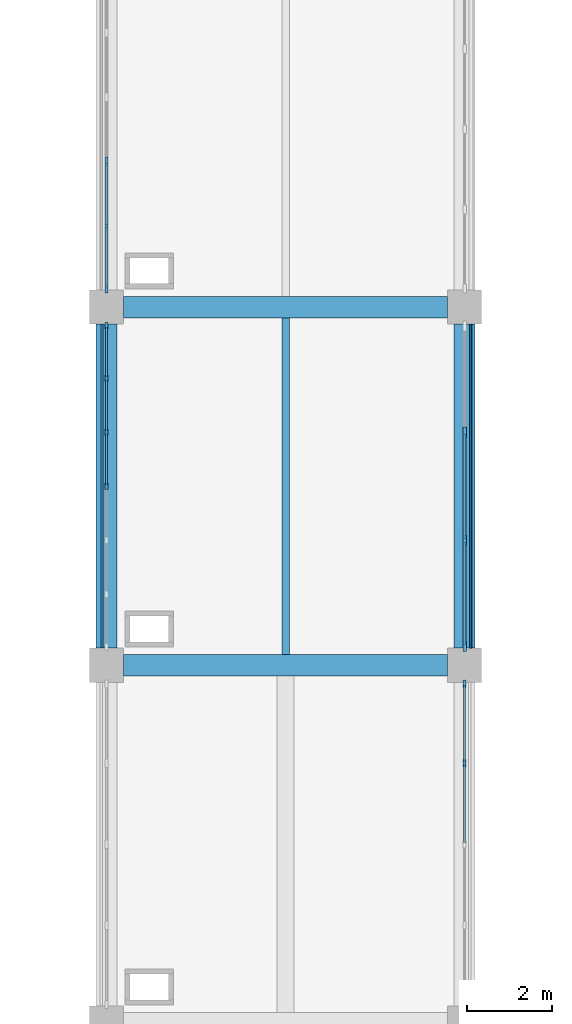
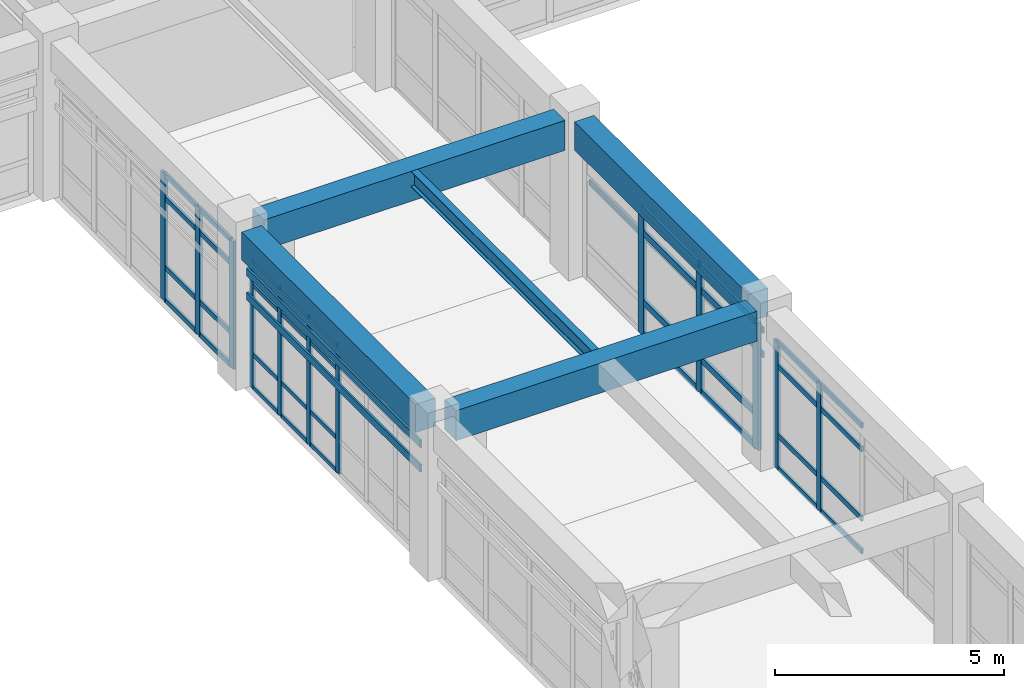
# One storey, part 24 of 99: 52 members, 5 beams, 4 elements without a shape of their own.
"""IFC4 building model written with IfcOpenShell, lengths in metres."""

from ifc_helpers import new_model, si_unit, direction, frame, origin, origin_2d, place, context, subcontext, project, spatial, rectangle, i_section, extrude, material, layer, layer_set, material_profile, profile_set, type_object, element, aggregate, save


model = new_model("IFC4")

# Units and contexts
model_context = context("Model", 3, precision=1e-05, world=origin(), true_north=direction((0.0, 1.0)))
body_context = subcontext(model_context, "Body", "Model", "MODEL_VIEW")
ifc_project = project(units=[si_unit("LENGTHUNIT", "METRE"), si_unit("AREAUNIT", "SQUARE_METRE"), si_unit("VOLUMEUNIT", "CUBIC_METRE"), si_unit("PLANEANGLEUNIT", "RADIAN"), si_unit("MASSUNIT", "GRAM", prefix="KILO")], contexts=[model_context])

# Site, building, storey
site_placement = place(None, origin())
site = spatial("IfcSite", under=ifc_project, at=site_placement, CompositionType="ELEMENT")
building_placement = place(site_placement, origin())
building = spatial("IfcBuilding", under=site, at=building_placement, Name="Porcellanite Civic Hall", CompositionType="ELEMENT")
storey_placement = place(building_placement, frame((0.0, 0.0, 5.760009765625)))
storey = spatial("IfcBuildingStorey", under=building, at=storey_placement, Name="L01", CompositionType="ELEMENT", Elevation=5.760009765625)

# Beams
ifc_material_1 = material(Name="Concrete N50 (50 MPa)", Category="concrete")
ifc_material_profile_1 = material_profile(ifc_material_1, rectangle(XDim=0.5, YDim=0.75, at=origin_2d()), Name="RC-500x750")
ifc_profile_set_1 = profile_set([ifc_material_profile_1], Name="Concrete N50 (50 MPa)")
beam_type_1 = type_object("IfcBeamType", Name="BM-RC750", PredefinedType="SPANDREL", material=ifc_profile_set_1)
for number, where, z_axis, x_axis, name in (
    (1, (50.39990234375, 84.3994140625, 3.824951171875), (0.0, 1.0, 0.0), (-1.0, 0.0, 0.0), "Beam Y L01 7-11"),
    (2, (58.800048828125, 84.3994140625, 3.824951171875), (0.0, 1.0, 0.0), (-1.0, 0.0, 0.0), "Beam Y L01 8-11"),
):
    element("IfcBeam", number, at=place(storey_placement, frame(where, z_axis=z_axis, x_axis=x_axis)), inside=storey, type_object=beam_type_1, Name=name, PredefinedType="SPANDREL", context=body_context, shape_type="SweptSolid", body=[
        extrude(rectangle(XDim=0.5, YDim=0.75, at=origin_2d()), origin(), (0.0, 0.0, 1.0), 7.60107421875),
    ])
ifc_material_2 = material(Name="Concrete N50 (50 MPa)", Category="concrete")
ifc_material_profile_2 = material_profile(ifc_material_2, rectangle(XDim=0.5, YDim=0.800048828125, at=origin_2d()), Name="RC-500x800")
ifc_profile_set_2 = profile_set([ifc_material_profile_2], Name="Concrete N50 (50 MPa)")
beam_type_2 = type_object("IfcBeamType", Name="BM-RC800", PredefinedType="BEAM", material=ifc_profile_set_2)
for number, where, z_axis, x_axis, name in (
    (3, (50.799560546875, 84.0, 3.800048828125), (1.0, 0.0, 0.0), (0.0, 1.0, 0.0), "Beam X L01 7-11"),
    (4, (50.799560546875, 92.39990234375, 3.800048828125), (1.0, 0.0, 0.0), (0.0, 1.0, 0.0), "Beam X L01 7-12"),
):
    element("IfcBeam", number, at=place(storey_placement, frame(where, z_axis=z_axis, x_axis=x_axis)), inside=storey, type_object=beam_type_2, Name=name, PredefinedType="BEAM", context=body_context, shape_type="SweptSolid", body=[
        extrude(rectangle(XDim=0.5, YDim=0.800048828125, at=origin_2d()), origin(), (0.0, 0.0, 1.0), 7.600830078125),
    ])

# Curtain wall, members
ifc_material_3 = material(Name="Anodised aluminium and solar laminated glass", Category="aluminium")
ifc_layer_1 = layer(ifc_material_3, 0.179931640625)
ifc_layer_set_1 = layer_set([ifc_layer_1], Name="Anodised aluminium and solar laminated glass")
curtain_wall_type_1 = type_object("IfcCurtainWallType", Name="CW-SYS08", PredefinedType="NOTDEFINED", material=ifc_layer_set_1)
curtain_wall_1_placement = place(storey_placement, origin())
curtain_wall_1 = element("IfcCurtainWall", 5, at=curtain_wall_1_placement, inside=storey, type_object=curtain_wall_type_1, Name="Curtain wall CW-082", PredefinedType="NOTDEFINED")
ifc_material_4 = material(Name="Anodised aluminium 6063-T6", Category="aluminium")
ifc_material_profile_3 = material_profile(ifc_material_4, rectangle(XDim=0.080078125, YDim=0.239990234375, at=origin_2d()), Name="AL-80x240")
ifc_profile_set_3 = profile_set([ifc_material_profile_3], Name="Anodised aluminium 6063-T6")
member_type_1 = type_object("IfcMemberType", Name="CWM-01", PredefinedType="MULLION", material=ifc_profile_set_3)
member_1_placement = place(storey_placement, frame((58.800048828125, 89.46630859375, 0.0), z_axis=(0.0, 0.0, 1.0), x_axis=(1.0, 0.0, 0.0)))
member_1 = element("IfcMember", 6, at=member_1_placement, type_object=member_type_1, Name="CW-082 mullion 2", PredefinedType="MULLION", context=body_context, shape_type="SweptSolid", body=[
    extrude(rectangle(XDim=0.080078125, YDim=0.239990234375, at=origin_2d()), origin(), (0.0, 0.0, 1.0), 3.39990234375),
])
member_2_placement = place(storey_placement, frame((58.800048828125, 86.93359375, 0.0), z_axis=(0.0, 0.0, 1.0), x_axis=(1.0, 0.0, 0.0)))
member_2 = element("IfcMember", 7, at=member_2_placement, type_object=member_type_1, Name="CW-082 mullion 3", PredefinedType="MULLION", context=body_context, shape_type="SweptSolid", body=[
    extrude(rectangle(XDim=0.080078125, YDim=0.239990234375, at=origin_2d()), origin(), (0.0, 0.0, 1.0), 3.39990234375),
])
member_3_placement = place(storey_placement, frame((58.800048828125, 84.44091796875, 0.0), z_axis=(0.0, 0.0, 1.0), x_axis=(1.0, 0.0, 0.0)))
member_3 = element("IfcMember", 8, at=member_3_placement, type_object=member_type_1, Name="CW-082 mullion 4", PredefinedType="MULLION", context=body_context, shape_type="SweptSolid", body=[
    extrude(rectangle(XDim=0.080078125, YDim=0.239990234375, at=origin_2d()), origin(), (0.0, 0.0, 1.0), 3.39990234375),
])

ifc_material_5 = material(Name="Anodised aluminium and solar laminated glass", Category="aluminium")
ifc_layer_2 = layer(ifc_material_5, 0.179931640625)
ifc_layer_set_2 = layer_set([ifc_layer_2], Name="Anodised aluminium and solar laminated glass")
curtain_wall_type_2 = type_object("IfcCurtainWallType", Name="CW-SYS01", PredefinedType="NOTDEFINED", material=ifc_layer_set_2)
curtain_wall_2_placement = place(storey_placement, origin())
curtain_wall_2 = element("IfcCurtainWall", 9, at=curtain_wall_2_placement, inside=storey, type_object=curtain_wall_type_2, Name="Curtain wall CW-083", PredefinedType="NOTDEFINED")
ifc_material_6 = material(Name="Anodised aluminium 6063-T6", Category="aluminium")
ifc_material_profile_4 = material_profile(ifc_material_6, rectangle(XDim=0.070068359375, YDim=0.199951171875, at=origin_2d()), Name="AL-70x200")
ifc_profile_set_4 = profile_set([ifc_material_profile_4], Name="Anodised aluminium 6063-T6")
member_type_2 = type_object("IfcMemberType", Name="CWM-05", PredefinedType="MULLION", material=ifc_profile_set_4)
member_4_placement = place(storey_placement, frame((50.39990234375, 92.8359375, 0.0), z_axis=(0.0, 0.0, 1.0), x_axis=(-1.0, 0.0, 0.0)))
member_4 = element("IfcMember", 10, at=member_4_placement, type_object=member_type_2, Name="CW-083 mullion 1", PredefinedType="MULLION", context=body_context, shape_type="SweptSolid", body=[
    extrude(rectangle(XDim=0.070068359375, YDim=0.199951171875, at=origin_2d()), origin(), (0.0, 0.0, 1.0), 3.39990234375),
])
member_5_placement = place(storey_placement, frame((50.39990234375, 94.310546875, 0.0), z_axis=(0.0, 0.0, 1.0), x_axis=(-1.0, 0.0, 0.0)))
member_5 = element("IfcMember", 11, at=member_5_placement, type_object=member_type_2, Name="CW-083 mullion 2", PredefinedType="MULLION", context=body_context, shape_type="SweptSolid", body=[
    extrude(rectangle(XDim=0.070068359375, YDim=0.199951171875, at=origin_2d()), origin(), (0.0, 0.0, 1.0), 3.39990234375),
])
member_6_placement = place(storey_placement, frame((50.39990234375, 95.8203125, 0.0), z_axis=(0.0, 0.0, 1.0), x_axis=(-1.0, 0.0, 0.0)))
member_6 = element("IfcMember", 12, at=member_6_placement, type_object=member_type_2, Name="CW-083 mullion 3", PredefinedType="MULLION", context=body_context, shape_type="SweptSolid", body=[
    extrude(rectangle(XDim=0.070068359375, YDim=0.199951171875, at=origin_2d()), origin(), (0.0, 0.0, 1.0), 3.39990234375),
])

ifc_material_7 = material(Name="Anodised aluminium and solar laminated glass", Category="aluminium")
ifc_layer_3 = layer(ifc_material_7, 0.179931640625)
ifc_layer_set_3 = layer_set([ifc_layer_3], Name="Anodised aluminium and solar laminated glass")
curtain_wall_type_3 = type_object("IfcCurtainWallType", Name="CW-SYS06", PredefinedType="NOTDEFINED", material=ifc_layer_set_3)
curtain_wall_3_placement = place(storey_placement, origin())
curtain_wall_3 = element("IfcCurtainWall", 13, at=curtain_wall_3_placement, inside=storey, type_object=curtain_wall_type_3, Name="Curtain wall CW-080", PredefinedType="NOTDEFINED")
ifc_material_8 = material(Name="Anodised aluminium 6063-T6", Category="aluminium")
ifc_material_profile_5 = material_profile(ifc_material_8, rectangle(XDim=0.06494140625, YDim=0.179931640625, at=origin_2d()), Name="AL-65x180")
ifc_profile_set_5 = profile_set([ifc_material_profile_5], Name="Anodised aluminium 6063-T6")
member_type_3 = type_object("IfcMemberType", Name="CWM-06", PredefinedType="MULLION", material=ifc_profile_set_5)
member_7_placement = place(storey_placement, frame((58.800048828125, 83.56640625, 0.0), z_axis=(0.0, 0.0, 1.0), x_axis=(1.0, 0.0, 0.0)))
member_7 = element("IfcMember", 14, at=member_7_placement, type_object=member_type_3, Name="CW-080 mullion 1", PredefinedType="MULLION", context=body_context, shape_type="SweptSolid", body=[
    extrude(rectangle(XDim=0.06494140625, YDim=0.179931640625, at=origin_2d()), origin(), (0.0, 0.0, 1.0), 3.39990234375),
])
member_8_placement = place(storey_placement, frame((58.800048828125, 81.699462890625, 0.0), z_axis=(0.0, 0.0, 1.0), x_axis=(1.0, 0.0, 0.0)))
member_8 = element("IfcMember", 15, at=member_8_placement, type_object=member_type_3, Name="CW-080 mullion 2", PredefinedType="MULLION", context=body_context, shape_type="SweptSolid", body=[
    extrude(rectangle(XDim=0.06494140625, YDim=0.179931640625, at=origin_2d()), origin(), (0.0, 0.0, 1.0), 3.39990234375),
])

ifc_material_9 = material(Name="Anodised aluminium and solar laminated glass", Category="aluminium")
ifc_layer_4 = layer(ifc_material_9, 0.179931640625)
ifc_layer_set_4 = layer_set([ifc_layer_4], Name="Anodised aluminium and solar laminated glass")
curtain_wall_type_4 = type_object("IfcCurtainWallType", Name="CW-SYS07", PredefinedType="NOTDEFINED", material=ifc_layer_set_4)
curtain_wall_4_placement = place(storey_placement, origin())
curtain_wall_4 = element("IfcCurtainWall", 16, at=curtain_wall_4_placement, inside=storey, type_object=curtain_wall_type_4, Name="Curtain wall CW-081", PredefinedType="NOTDEFINED")
ifc_material_10 = material(Name="Anodised aluminium 6063-T6", Category="aluminium")
ifc_material_profile_6 = material_profile(ifc_material_10, rectangle(XDim=0.06005859375, YDim=0.159912109375, at=origin_2d()), Name="AL-60x160")
ifc_profile_set_6 = profile_set([ifc_material_profile_6], Name="Anodised aluminium 6063-T6")
member_type_4 = type_object("IfcMemberType", Name="CWM-07", PredefinedType="MULLION", material=ifc_profile_set_6)
member_9_placement = place(storey_placement, frame((50.39990234375, 88.199951171875, 0.0), z_axis=(0.0, 0.0, 1.0), x_axis=(-1.0, 0.0, 0.0)))
member_9 = element("IfcMember", 17, at=member_9_placement, type_object=member_type_4, Name="CW-081 mullion 4", PredefinedType="MULLION", context=body_context, shape_type="SweptSolid", body=[
    extrude(rectangle(XDim=0.06005859375, YDim=0.159912109375, at=origin_2d()), origin(), (0.0, 0.0, 1.0), 3.39990234375),
])
member_10_placement = place(storey_placement, frame((50.39990234375, 89.46630859375, 0.0), z_axis=(0.0, 0.0, 1.0), x_axis=(-1.0, 0.0, 0.0)))
member_10 = element("IfcMember", 18, at=member_10_placement, type_object=member_type_4, Name="CW-081 mullion 5", PredefinedType="MULLION", context=body_context, shape_type="SweptSolid", body=[
    extrude(rectangle(XDim=0.06005859375, YDim=0.159912109375, at=origin_2d()), origin(), (0.0, 0.0, 1.0), 3.39990234375),
])
member_11_placement = place(storey_placement, frame((50.39990234375, 90.732666015625, 0.0), z_axis=(0.0, 0.0, 1.0), x_axis=(-1.0, 0.0, 0.0)))
member_11 = element("IfcMember", 19, at=member_11_placement, type_object=member_type_4, Name="CW-081 mullion 6", PredefinedType="MULLION", context=body_context, shape_type="SweptSolid", body=[
    extrude(rectangle(XDim=0.06005859375, YDim=0.159912109375, at=origin_2d()), origin(), (0.0, 0.0, 1.0), 3.39990234375),
])
member_12_placement = place(storey_placement, frame((50.39990234375, 91.968994140625, 0.0), z_axis=(0.0, 0.0, 1.0), x_axis=(-1.0, 0.0, 0.0)))
member_12 = element("IfcMember", 20, at=member_12_placement, type_object=member_type_4, Name="CW-081 mullion 7", PredefinedType="MULLION", context=body_context, shape_type="SweptSolid", body=[
    extrude(rectangle(XDim=0.06005859375, YDim=0.159912109375, at=origin_2d()), origin(), (0.0, 0.0, 1.0), 3.39990234375),
])

# Member
ifc_material_11 = material(Name="Anodised aluminium 6063-T6", Category="aluminium")
ifc_material_profile_7 = material_profile(ifc_material_11, rectangle(XDim=0.070068359375, YDim=0.175048828125, at=origin_2d()), Name="AL-70x175")
ifc_profile_set_7 = profile_set([ifc_material_profile_7], Name="Anodised aluminium 6063-T6")
member_type_5 = type_object("IfcMemberType", Name="CWT-01", PredefinedType="USERDEFINED", material=ifc_profile_set_7)
member_13_placement = place(storey_placement, frame((58.800048828125, 89.42626953125, 0.034912109375), z_axis=(0.0, -1.0, 0.0), x_axis=(1.0, 0.0, 0.0)))
member_13 = element("IfcMember", 21, at=member_13_placement, type_object=member_type_5, Name="CW-082 transom 2.1", ObjectType="TRANSOM", PredefinedType="USERDEFINED", context=body_context, shape_type="SweptSolid", body=[
    extrude(rectangle(XDim=0.070068359375, YDim=0.175048828125, at=origin_2d()), origin(), (0.0, 0.0, 1.0), 2.45263671875),
])

member_14_placement = place(storey_placement, frame((58.800048828125, 89.42626953125, 0.89990234375), z_axis=(0.0, -1.0, 0.0), x_axis=(1.0, 0.0, 0.0)))
member_14 = element("IfcMember", 22, at=member_14_placement, type_object=member_type_5, Name="CW-082 transom 2.2", ObjectType="TRANSOM", PredefinedType="USERDEFINED", context=body_context, shape_type="SweptSolid", body=[
    extrude(rectangle(XDim=0.070068359375, YDim=0.175048828125, at=origin_2d()), origin(), (0.0, 0.0, 1.0), 2.45263671875),
])

member_15_placement = place(storey_placement, frame((58.800048828125, 89.42626953125, 2.75), z_axis=(0.0, -1.0, 0.0), x_axis=(1.0, 0.0, 0.0)))
member_15 = element("IfcMember", 23, at=member_15_placement, type_object=member_type_5, Name="CW-082 transom 2.3", ObjectType="TRANSOM", PredefinedType="USERDEFINED", context=body_context, shape_type="SweptSolid", body=[
    extrude(rectangle(XDim=0.070068359375, YDim=0.175048828125, at=origin_2d()), origin(), (0.0, 0.0, 1.0), 2.45263671875),
])

member_16_placement = place(storey_placement, frame((58.800048828125, 89.42626953125, 3.364990234375), z_axis=(0.0, -1.0, 0.0), x_axis=(1.0, 0.0, 0.0)))
member_16 = element("IfcMember", 24, at=member_16_placement, type_object=member_type_5, Name="CW-082 transom 2.4", ObjectType="TRANSOM", PredefinedType="USERDEFINED", context=body_context, shape_type="SweptSolid", body=[
    extrude(rectangle(XDim=0.070068359375, YDim=0.175048828125, at=origin_2d()), origin(), (0.0, 0.0, 1.0), 2.45263671875),
])

member_17_placement = place(storey_placement, frame((58.800048828125, 86.8935546875, 0.034912109375), z_axis=(0.0, -1.0, 0.0), x_axis=(1.0, 0.0, 0.0)))
member_17 = element("IfcMember", 25, at=member_17_placement, type_object=member_type_5, Name="CW-082 transom 3.1", ObjectType="TRANSOM", PredefinedType="USERDEFINED", context=body_context, shape_type="SweptSolid", body=[
    extrude(rectangle(XDim=0.070068359375, YDim=0.175048828125, at=origin_2d()), origin(), (0.0, 0.0, 1.0), 2.41259765625),
])

member_18_placement = place(storey_placement, frame((58.800048828125, 86.8935546875, 0.89990234375), z_axis=(0.0, -1.0, 0.0), x_axis=(1.0, 0.0, 0.0)))
member_18 = element("IfcMember", 26, at=member_18_placement, type_object=member_type_5, Name="CW-082 transom 3.2", ObjectType="TRANSOM", PredefinedType="USERDEFINED", context=body_context, shape_type="SweptSolid", body=[
    extrude(rectangle(XDim=0.070068359375, YDim=0.175048828125, at=origin_2d()), origin(), (0.0, 0.0, 1.0), 2.41259765625),
])

member_19_placement = place(storey_placement, frame((58.800048828125, 86.8935546875, 2.75), z_axis=(0.0, -1.0, 0.0), x_axis=(1.0, 0.0, 0.0)))
member_19 = element("IfcMember", 27, at=member_19_placement, type_object=member_type_5, Name="CW-082 transom 3.3", ObjectType="TRANSOM", PredefinedType="USERDEFINED", context=body_context, shape_type="SweptSolid", body=[
    extrude(rectangle(XDim=0.070068359375, YDim=0.175048828125, at=origin_2d()), origin(), (0.0, 0.0, 1.0), 2.41259765625),
])

member_20_placement = place(storey_placement, frame((58.800048828125, 86.8935546875, 3.364990234375), z_axis=(0.0, -1.0, 0.0), x_axis=(1.0, 0.0, 0.0)))
member_20 = element("IfcMember", 28, at=member_20_placement, type_object=member_type_5, Name="CW-082 transom 3.4", ObjectType="TRANSOM", PredefinedType="USERDEFINED", context=body_context, shape_type="SweptSolid", body=[
    extrude(rectangle(XDim=0.070068359375, YDim=0.175048828125, at=origin_2d()), origin(), (0.0, 0.0, 1.0), 2.41259765625),
])

aggregate(curtain_wall_1, [member_1, member_2, member_3, member_13, member_14, member_15, member_16, member_17, member_18, member_19, member_20])

ifc_material_12 = material(Name="Anodised aluminium 6063-T6", Category="aluminium")
ifc_material_profile_8 = material_profile(ifc_material_12, rectangle(XDim=0.06005859375, YDim=0.1298828125, at=origin_2d()), Name="AL-60x130")
ifc_profile_set_8 = profile_set([ifc_material_profile_8], Name="Anodised aluminium 6063-T6")
member_type_6 = type_object("IfcMemberType", Name="CWT-03", PredefinedType="USERDEFINED", material=ifc_profile_set_8)
member_21_placement = place(storey_placement, frame((50.39990234375, 92.87109375, 0.030029296875), z_axis=(0.0, 1.0, 0.0), x_axis=(-1.0, 0.0, 0.0)))
member_21 = element("IfcMember", 29, at=member_21_placement, type_object=member_type_6, Name="CW-083 transom 1.1", ObjectType="TRANSOM", PredefinedType="USERDEFINED", context=body_context, shape_type="SweptSolid", body=[
    extrude(rectangle(XDim=0.06005859375, YDim=0.1298828125, at=origin_2d()), origin(), (0.0, 0.0, 1.0), 1.404541015625),
])

member_22_placement = place(storey_placement, frame((50.39990234375, 92.87109375, 0.89990234375), z_axis=(0.0, 1.0, 0.0), x_axis=(-1.0, 0.0, 0.0)))
member_22 = element("IfcMember", 30, at=member_22_placement, type_object=member_type_6, Name="CW-083 transom 1.2", ObjectType="TRANSOM", PredefinedType="USERDEFINED", context=body_context, shape_type="SweptSolid", body=[
    extrude(rectangle(XDim=0.06005859375, YDim=0.1298828125, at=origin_2d()), origin(), (0.0, 0.0, 1.0), 1.404541015625),
])

member_23_placement = place(storey_placement, frame((50.39990234375, 92.87109375, 2.75), z_axis=(0.0, 1.0, 0.0), x_axis=(-1.0, 0.0, 0.0)))
member_23 = element("IfcMember", 31, at=member_23_placement, type_object=member_type_6, Name="CW-083 transom 1.3", ObjectType="TRANSOM", PredefinedType="USERDEFINED", context=body_context, shape_type="SweptSolid", body=[
    extrude(rectangle(XDim=0.06005859375, YDim=0.1298828125, at=origin_2d()), origin(), (0.0, 0.0, 1.0), 1.404541015625),
])

member_24_placement = place(storey_placement, frame((50.39990234375, 92.87109375, 3.369873046875), z_axis=(0.0, 1.0, 0.0), x_axis=(-1.0, 0.0, 0.0)))
member_24 = element("IfcMember", 32, at=member_24_placement, type_object=member_type_6, Name="CW-083 transom 1.4", ObjectType="TRANSOM", PredefinedType="USERDEFINED", context=body_context, shape_type="SweptSolid", body=[
    extrude(rectangle(XDim=0.06005859375, YDim=0.1298828125, at=origin_2d()), origin(), (0.0, 0.0, 1.0), 1.404541015625),
])

member_25_placement = place(storey_placement, frame((50.39990234375, 94.345703125, 0.030029296875), z_axis=(0.0, 1.0, 0.0), x_axis=(-1.0, 0.0, 0.0)))
member_25 = element("IfcMember", 33, at=member_25_placement, type_object=member_type_6, Name="CW-083 transom 2.1", ObjectType="TRANSOM", PredefinedType="USERDEFINED", context=body_context, shape_type="SweptSolid", body=[
    extrude(rectangle(XDim=0.06005859375, YDim=0.1298828125, at=origin_2d()), origin(), (0.0, 0.0, 1.0), 1.439453125),
])

member_26_placement = place(storey_placement, frame((50.39990234375, 94.345703125, 0.89990234375), z_axis=(0.0, 1.0, 0.0), x_axis=(-1.0, 0.0, 0.0)))
member_26 = element("IfcMember", 34, at=member_26_placement, type_object=member_type_6, Name="CW-083 transom 2.2", ObjectType="TRANSOM", PredefinedType="USERDEFINED", context=body_context, shape_type="SweptSolid", body=[
    extrude(rectangle(XDim=0.06005859375, YDim=0.1298828125, at=origin_2d()), origin(), (0.0, 0.0, 1.0), 1.439453125),
])

member_27_placement = place(storey_placement, frame((50.39990234375, 94.345703125, 2.75), z_axis=(0.0, 1.0, 0.0), x_axis=(-1.0, 0.0, 0.0)))
member_27 = element("IfcMember", 35, at=member_27_placement, type_object=member_type_6, Name="CW-083 transom 2.3", ObjectType="TRANSOM", PredefinedType="USERDEFINED", context=body_context, shape_type="SweptSolid", body=[
    extrude(rectangle(XDim=0.06005859375, YDim=0.1298828125, at=origin_2d()), origin(), (0.0, 0.0, 1.0), 1.439453125),
])

member_28_placement = place(storey_placement, frame((50.39990234375, 94.345703125, 3.369873046875), z_axis=(0.0, 1.0, 0.0), x_axis=(-1.0, 0.0, 0.0)))
member_28 = element("IfcMember", 36, at=member_28_placement, type_object=member_type_6, Name="CW-083 transom 2.4", ObjectType="TRANSOM", PredefinedType="USERDEFINED", context=body_context, shape_type="SweptSolid", body=[
    extrude(rectangle(XDim=0.06005859375, YDim=0.1298828125, at=origin_2d()), origin(), (0.0, 0.0, 1.0), 1.439453125),
])

aggregate(curtain_wall_2, [member_4, member_5, member_6, member_21, member_22, member_23, member_24, member_25, member_26, member_27, member_28])

ifc_material_13 = material(Name="Anodised aluminium 6063-T6", Category="aluminium")
ifc_material_profile_9 = material_profile(ifc_material_13, rectangle(XDim=0.050048828125, YDim=0.139892578125, at=origin_2d()), Name="AL-50x140")
ifc_profile_set_9 = profile_set([ifc_material_profile_9], Name="Anodised aluminium 6063-T6")
member_type_7 = type_object("IfcMemberType", Name="CWT-06", PredefinedType="USERDEFINED", material=ifc_profile_set_9)
member_29_placement = place(storey_placement, frame((58.800048828125, 83.533935546875, 0.02490234375), z_axis=(0.0, -1.0, 0.0), x_axis=(1.0, 0.0, 0.0)))
member_29 = element("IfcMember", 37, at=member_29_placement, type_object=member_type_7, Name="CW-080 transom 1.1", ObjectType="TRANSOM", PredefinedType="USERDEFINED", context=body_context, shape_type="SweptSolid", body=[
    extrude(rectangle(XDim=0.050048828125, YDim=0.139892578125, at=origin_2d()), origin(), (0.0, 0.0, 1.0), 1.802001953125),
])

member_30_placement = place(storey_placement, frame((58.800048828125, 83.533935546875, 0.89990234375), z_axis=(0.0, -1.0, 0.0), x_axis=(1.0, 0.0, 0.0)))
member_30 = element("IfcMember", 38, at=member_30_placement, type_object=member_type_7, Name="CW-080 transom 1.2", ObjectType="TRANSOM", PredefinedType="USERDEFINED", context=body_context, shape_type="SweptSolid", body=[
    extrude(rectangle(XDim=0.050048828125, YDim=0.139892578125, at=origin_2d()), origin(), (0.0, 0.0, 1.0), 1.802001953125),
])

member_31_placement = place(storey_placement, frame((58.800048828125, 83.533935546875, 2.75), z_axis=(0.0, -1.0, 0.0), x_axis=(1.0, 0.0, 0.0)))
member_31 = element("IfcMember", 39, at=member_31_placement, type_object=member_type_7, Name="CW-080 transom 1.3", ObjectType="TRANSOM", PredefinedType="USERDEFINED", context=body_context, shape_type="SweptSolid", body=[
    extrude(rectangle(XDim=0.050048828125, YDim=0.139892578125, at=origin_2d()), origin(), (0.0, 0.0, 1.0), 1.802001953125),
])

member_32_placement = place(storey_placement, frame((58.800048828125, 83.533935546875, 3.375), z_axis=(0.0, -1.0, 0.0), x_axis=(1.0, 0.0, 0.0)))
member_32 = element("IfcMember", 40, at=member_32_placement, type_object=member_type_7, Name="CW-080 transom 1.4", ObjectType="TRANSOM", PredefinedType="USERDEFINED", context=body_context, shape_type="SweptSolid", body=[
    extrude(rectangle(XDim=0.050048828125, YDim=0.139892578125, at=origin_2d()), origin(), (0.0, 0.0, 1.0), 1.802001953125),
])

member_33_placement = place(storey_placement, frame((58.800048828125, 81.6669921875, 0.02490234375), z_axis=(0.0, -1.0, 0.0), x_axis=(1.0, 0.0, 0.0)))
member_33 = element("IfcMember", 41, at=member_33_placement, type_object=member_type_7, Name="CW-080 transom 2.1", ObjectType="TRANSOM", PredefinedType="USERDEFINED", context=body_context, shape_type="SweptSolid", body=[
    extrude(rectangle(XDim=0.050048828125, YDim=0.139892578125, at=origin_2d()), origin(), (0.0, 0.0, 1.0), 1.83447265625),
])

member_34_placement = place(storey_placement, frame((58.800048828125, 81.6669921875, 0.89990234375), z_axis=(0.0, -1.0, 0.0), x_axis=(1.0, 0.0, 0.0)))
member_34 = element("IfcMember", 42, at=member_34_placement, type_object=member_type_7, Name="CW-080 transom 2.2", ObjectType="TRANSOM", PredefinedType="USERDEFINED", context=body_context, shape_type="SweptSolid", body=[
    extrude(rectangle(XDim=0.050048828125, YDim=0.139892578125, at=origin_2d()), origin(), (0.0, 0.0, 1.0), 1.83447265625),
])

member_35_placement = place(storey_placement, frame((58.800048828125, 81.6669921875, 2.75), z_axis=(0.0, -1.0, 0.0), x_axis=(1.0, 0.0, 0.0)))
member_35 = element("IfcMember", 43, at=member_35_placement, type_object=member_type_7, Name="CW-080 transom 2.3", ObjectType="TRANSOM", PredefinedType="USERDEFINED", context=body_context, shape_type="SweptSolid", body=[
    extrude(rectangle(XDim=0.050048828125, YDim=0.139892578125, at=origin_2d()), origin(), (0.0, 0.0, 1.0), 1.83447265625),
])

member_36_placement = place(storey_placement, frame((58.800048828125, 81.6669921875, 3.375), z_axis=(0.0, -1.0, 0.0), x_axis=(1.0, 0.0, 0.0)))
member_36 = element("IfcMember", 44, at=member_36_placement, type_object=member_type_7, Name="CW-080 transom 2.4", ObjectType="TRANSOM", PredefinedType="USERDEFINED", context=body_context, shape_type="SweptSolid", body=[
    extrude(rectangle(XDim=0.050048828125, YDim=0.139892578125, at=origin_2d()), origin(), (0.0, 0.0, 1.0), 1.83447265625),
])

aggregate(curtain_wall_3, [member_7, member_8, member_29, member_30, member_31, member_32, member_33, member_34, member_35, member_36])

ifc_material_14 = material(Name="Anodised aluminium 6063-T6", Category="aluminium")
ifc_material_profile_10 = material_profile(ifc_material_14, rectangle(XDim=0.050048828125, YDim=0.110107421875, at=origin_2d()), Name="AL-50x110")
ifc_profile_set_10 = profile_set([ifc_material_profile_10], Name="Anodised aluminium 6063-T6")
member_type_8 = type_object("IfcMemberType", Name="CWT-07", PredefinedType="USERDEFINED", material=ifc_profile_set_10)
member_37_placement = place(storey_placement, frame((50.39990234375, 88.22998046875, 0.02490234375), z_axis=(0.0, 1.0, 0.0), x_axis=(-1.0, 0.0, 0.0)))
member_37 = element("IfcMember", 45, at=member_37_placement, type_object=member_type_8, Name="CW-081 transom 4.1", ObjectType="TRANSOM", PredefinedType="USERDEFINED", context=body_context, shape_type="SweptSolid", body=[
    extrude(rectangle(XDim=0.050048828125, YDim=0.110107421875, at=origin_2d()), origin(), (0.0, 0.0, 1.0), 1.206298828125),
])

member_38_placement = place(storey_placement, frame((50.39990234375, 88.22998046875, 0.89990234375), z_axis=(0.0, 1.0, 0.0), x_axis=(-1.0, 0.0, 0.0)))
member_38 = element("IfcMember", 46, at=member_38_placement, type_object=member_type_8, Name="CW-081 transom 4.2", ObjectType="TRANSOM", PredefinedType="USERDEFINED", context=body_context, shape_type="SweptSolid", body=[
    extrude(rectangle(XDim=0.050048828125, YDim=0.110107421875, at=origin_2d()), origin(), (0.0, 0.0, 1.0), 1.206298828125),
])

member_39_placement = place(storey_placement, frame((50.39990234375, 88.22998046875, 2.75), z_axis=(0.0, 1.0, 0.0), x_axis=(-1.0, 0.0, 0.0)))
member_39 = element("IfcMember", 47, at=member_39_placement, type_object=member_type_8, Name="CW-081 transom 4.3", ObjectType="TRANSOM", PredefinedType="USERDEFINED", context=body_context, shape_type="SweptSolid", body=[
    extrude(rectangle(XDim=0.050048828125, YDim=0.110107421875, at=origin_2d()), origin(), (0.0, 0.0, 1.0), 1.206298828125),
])

member_40_placement = place(storey_placement, frame((50.39990234375, 88.22998046875, 3.375), z_axis=(0.0, 1.0, 0.0), x_axis=(-1.0, 0.0, 0.0)))
member_40 = element("IfcMember", 48, at=member_40_placement, type_object=member_type_8, Name="CW-081 transom 4.4", ObjectType="TRANSOM", PredefinedType="USERDEFINED", context=body_context, shape_type="SweptSolid", body=[
    extrude(rectangle(XDim=0.050048828125, YDim=0.110107421875, at=origin_2d()), origin(), (0.0, 0.0, 1.0), 1.206298828125),
])

member_41_placement = place(storey_placement, frame((50.39990234375, 89.496337890625, 0.02490234375), z_axis=(0.0, 1.0, 0.0), x_axis=(-1.0, 0.0, 0.0)))
member_41 = element("IfcMember", 49, at=member_41_placement, type_object=member_type_8, Name="CW-081 transom 5.1", ObjectType="TRANSOM", PredefinedType="USERDEFINED", context=body_context, shape_type="SweptSolid", body=[
    extrude(rectangle(XDim=0.050048828125, YDim=0.110107421875, at=origin_2d()), origin(), (0.0, 0.0, 1.0), 1.206298828125),
])

member_42_placement = place(storey_placement, frame((50.39990234375, 89.496337890625, 0.89990234375), z_axis=(0.0, 1.0, 0.0), x_axis=(-1.0, 0.0, 0.0)))
member_42 = element("IfcMember", 50, at=member_42_placement, type_object=member_type_8, Name="CW-081 transom 5.2", ObjectType="TRANSOM", PredefinedType="USERDEFINED", context=body_context, shape_type="SweptSolid", body=[
    extrude(rectangle(XDim=0.050048828125, YDim=0.110107421875, at=origin_2d()), origin(), (0.0, 0.0, 1.0), 1.206298828125),
])

member_43_placement = place(storey_placement, frame((50.39990234375, 89.496337890625, 2.75), z_axis=(0.0, 1.0, 0.0), x_axis=(-1.0, 0.0, 0.0)))
member_43 = element("IfcMember", 51, at=member_43_placement, type_object=member_type_8, Name="CW-081 transom 5.3", ObjectType="TRANSOM", PredefinedType="USERDEFINED", context=body_context, shape_type="SweptSolid", body=[
    extrude(rectangle(XDim=0.050048828125, YDim=0.110107421875, at=origin_2d()), origin(), (0.0, 0.0, 1.0), 1.206298828125),
])

member_44_placement = place(storey_placement, frame((50.39990234375, 89.496337890625, 3.375), z_axis=(0.0, 1.0, 0.0), x_axis=(-1.0, 0.0, 0.0)))
member_44 = element("IfcMember", 52, at=member_44_placement, type_object=member_type_8, Name="CW-081 transom 5.4", ObjectType="TRANSOM", PredefinedType="USERDEFINED", context=body_context, shape_type="SweptSolid", body=[
    extrude(rectangle(XDim=0.050048828125, YDim=0.110107421875, at=origin_2d()), origin(), (0.0, 0.0, 1.0), 1.206298828125),
])

member_45_placement = place(storey_placement, frame((50.39990234375, 90.7626953125, 0.02490234375), z_axis=(0.0, 1.0, 0.0), x_axis=(-1.0, 0.0, 0.0)))
member_45 = element("IfcMember", 53, at=member_45_placement, type_object=member_type_8, Name="CW-081 transom 6.1", ObjectType="TRANSOM", PredefinedType="USERDEFINED", context=body_context, shape_type="SweptSolid", body=[
    extrude(rectangle(XDim=0.050048828125, YDim=0.110107421875, at=origin_2d()), origin(), (0.0, 0.0, 1.0), 1.17626953125),
])

member_46_placement = place(storey_placement, frame((50.39990234375, 90.7626953125, 0.89990234375), z_axis=(0.0, 1.0, 0.0), x_axis=(-1.0, 0.0, 0.0)))
member_46 = element("IfcMember", 54, at=member_46_placement, type_object=member_type_8, Name="CW-081 transom 6.2", ObjectType="TRANSOM", PredefinedType="USERDEFINED", context=body_context, shape_type="SweptSolid", body=[
    extrude(rectangle(XDim=0.050048828125, YDim=0.110107421875, at=origin_2d()), origin(), (0.0, 0.0, 1.0), 1.17626953125),
])

member_47_placement = place(storey_placement, frame((50.39990234375, 90.7626953125, 2.75), z_axis=(0.0, 1.0, 0.0), x_axis=(-1.0, 0.0, 0.0)))
member_47 = element("IfcMember", 55, at=member_47_placement, type_object=member_type_8, Name="CW-081 transom 6.3", ObjectType="TRANSOM", PredefinedType="USERDEFINED", context=body_context, shape_type="SweptSolid", body=[
    extrude(rectangle(XDim=0.050048828125, YDim=0.110107421875, at=origin_2d()), origin(), (0.0, 0.0, 1.0), 1.17626953125),
])

member_48_placement = place(storey_placement, frame((50.39990234375, 90.7626953125, 3.375), z_axis=(0.0, 1.0, 0.0), x_axis=(-1.0, 0.0, 0.0)))
member_48 = element("IfcMember", 56, at=member_48_placement, type_object=member_type_8, Name="CW-081 transom 6.4", ObjectType="TRANSOM", PredefinedType="USERDEFINED", context=body_context, shape_type="SweptSolid", body=[
    extrude(rectangle(XDim=0.050048828125, YDim=0.110107421875, at=origin_2d()), origin(), (0.0, 0.0, 1.0), 1.17626953125),
])

aggregate(curtain_wall_4, [member_9, member_10, member_11, member_12, member_37, member_38, member_39, member_40, member_41, member_42, member_43, member_44, member_45, member_46, member_47, member_48])

# Beam
ifc_material_15 = material(Name="Steel Grade 350", Category="steel")
ifc_material_profile_11 = material_profile(ifc_material_15, i_section(OverallWidth=0.177978515625, OverallDepth=0.406005859375, WebThickness=0.0078125, FlangeThickness=0.0126953125, FilletRadius=0.011474609375, at=origin_2d()), Name="410UB59.7")
ifc_profile_set_11 = profile_set([ifc_material_profile_11], Name="Steel Grade 350")
beam_type_3 = type_object("IfcBeamType", Name="JST-410UB60", PredefinedType="JOIST", material=ifc_profile_set_11)
beam_placement = place(storey_placement, frame((54.60009765625, 84.24951171875, 3.9970703125), z_axis=(0.0, 1.0, 0.0), x_axis=(-1.0, 0.0, 0.0)))
element("IfcBeam", 57, at=beam_placement, inside=storey, type_object=beam_type_3, Name="Secondary joist L01 7-11", PredefinedType="JOIST", context=body_context, shape_type="SweptSolid", body=[
    extrude(i_section(OverallWidth=0.177978515625, OverallDepth=0.406005859375, WebThickness=0.0078125, FlangeThickness=0.0126953125, FilletRadius=0.011474609375, at=origin_2d()), origin(), (0.0, 0.0, 1.0), 7.90087890625),
])

# Members
ifc_material_16 = material(Name="Fluoropolymer bauxite-red aluminium 6063-T6", Category="aluminium")
ifc_material_profile_12 = material_profile(ifc_material_16, rectangle(XDim=0.050048828125, YDim=0.199951171875, at=origin_2d()), Name="AL-50x200")
ifc_profile_set_12 = profile_set([ifc_material_profile_12], Name="Fluoropolymer bauxite-red aluminium 6063-T6")
member_type_9 = type_object("IfcMemberType", Name="LV-BLD10", PredefinedType="USERDEFINED", material=ifc_profile_set_12)
for number, where, z_axis, x_axis, name in (
    (58, (50.29296875, 84.3994140625, 3.10009765625), (0.0, 1.0, 0.0), (-1.0, 0.0, 0.0), "Cyclone sunshade louvre L01 W 6-10 1"),
    (59, (50.29296875, 84.3994140625, 2.449951171875), (0.0, 1.0, 0.0), (-1.0, 0.0, 0.0), "Cyclone sunshade louvre L01 W 6-10 2"),
):
    element("IfcMember", number, at=place(storey_placement, frame(where, z_axis=z_axis, x_axis=x_axis)), inside=storey, type_object=member_type_9, Name=name, ObjectType="LOUVRE BLADE", PredefinedType="USERDEFINED", context=body_context, shape_type="SweptSolid", body=[
        extrude(rectangle(XDim=0.050048828125, YDim=0.199951171875, at=origin_2d()), origin(), (0.0, 0.0, 1.0), 7.60107421875),
    ])
ifc_material_17 = material(Name="Fluoropolymer bauxite-red aluminium 6063-T6", Category="aluminium")
ifc_material_profile_13 = material_profile(ifc_material_17, rectangle(XDim=0.044921875, YDim=0.159912109375, at=origin_2d()), Name="AL-45x160")
ifc_profile_set_13 = profile_set([ifc_material_profile_13], Name="Fluoropolymer bauxite-red aluminium 6063-T6")
member_type_10 = type_object("IfcMemberType", Name="LV-BLD11", PredefinedType="USERDEFINED", material=ifc_profile_set_13)
for number, where, z_axis, x_axis, name in (
    (60, (58.944580078125, 92.00048828125, 3.10009765625), (0.0, -1.0, 0.0), (1.0, 0.0, 0.0), "Cyclone sunshade louvre L01 E 6-10 1"),
    (61, (58.944580078125, 92.00048828125, 2.449951171875), (0.0, -1.0, 0.0), (1.0, 0.0, 0.0), "Cyclone sunshade louvre L01 E 6-10 2"),
):
    element("IfcMember", number, at=place(storey_placement, frame(where, z_axis=z_axis, x_axis=x_axis)), inside=storey, type_object=member_type_10, Name=name, ObjectType="LOUVRE BLADE", PredefinedType="USERDEFINED", context=body_context, shape_type="SweptSolid", body=[
        extrude(rectangle(XDim=0.044921875, YDim=0.159912109375, at=origin_2d()), origin(), (0.0, 0.0, 1.0), 7.60107421875),
    ])

save(model, "model.ifc")
